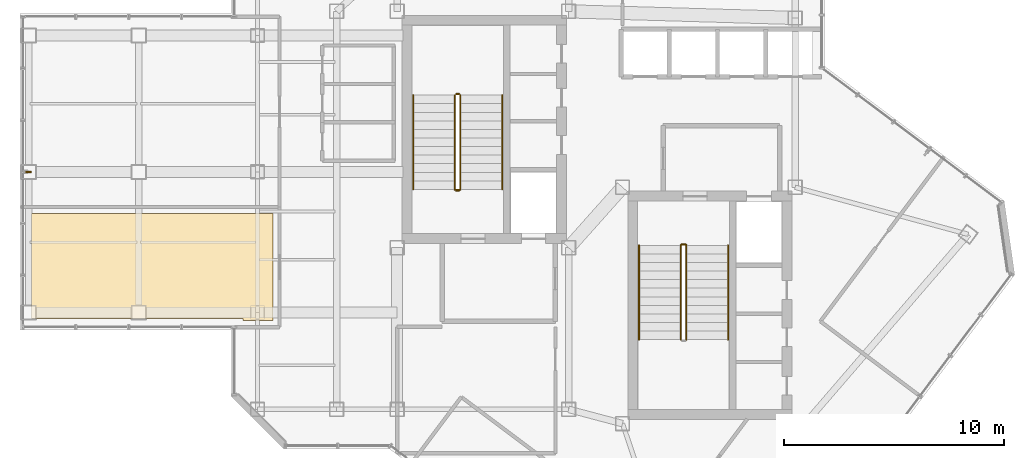
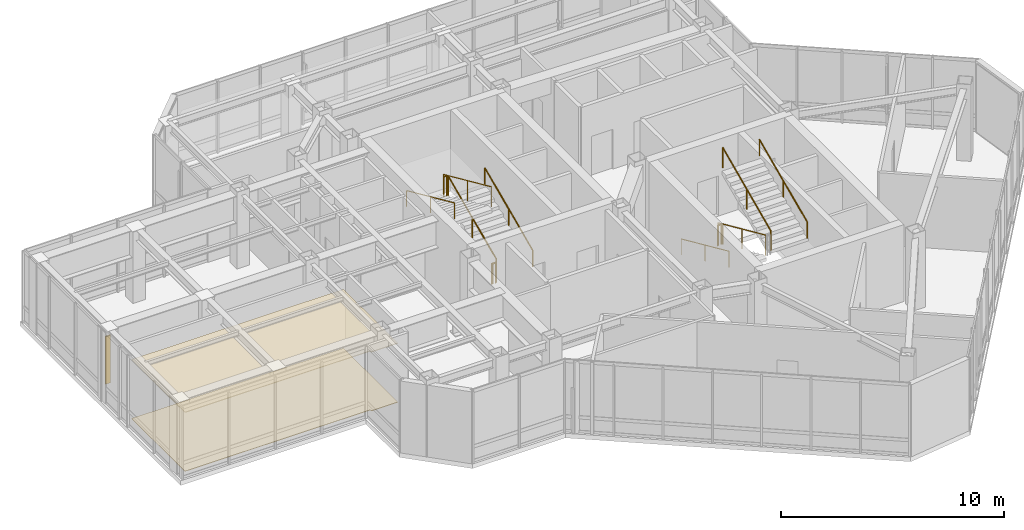
# One storey, part 21 of 22: 13 railings, 2 coverings, 1 shading device.
"""IFC4 building model written with IfcOpenShell, lengths in metres."""

from ifc_helpers import new_model, si_unit, direction, frame, origin, origin_2d, place, context, subcontext, project, spatial, polyline, rectangle, circle, outline, extrude, material, layer, layer_set, type_object, element, save


model = new_model("IFC4")

# Units and contexts
model_context = context("Model", 3, precision=1e-05, world=origin(), true_north=direction((0.0, 1.0)))
body_context = subcontext(model_context, "Body", "Model", "MODEL_VIEW")
ifc_project = project(units=[si_unit("LENGTHUNIT", "METRE"), si_unit("AREAUNIT", "SQUARE_METRE"), si_unit("VOLUMEUNIT", "CUBIC_METRE"), si_unit("PLANEANGLEUNIT", "RADIAN"), si_unit("MASSUNIT", "GRAM", prefix="KILO")], contexts=[model_context])

# Site, building, storey
site_placement = place(None, origin())
site = spatial("IfcSite", under=ifc_project, at=site_placement, CompositionType="ELEMENT")
building_placement = place(site_placement, origin())
building = spatial("IfcBuilding", under=site, at=building_placement, Name="Hatsunagi Terrace Concourse", CompositionType="ELEMENT")
storey_placement = place(building_placement, frame((0.0, 0.0, 261.75)))
storey = spatial("IfcBuildingStorey", under=building, at=storey_placement, Name="L69", CompositionType="ELEMENT", Elevation=261.75)

# Covering
ifc_material_1 = material(Name="Granite stone paving", Category="masonry")
ifc_layer_1 = layer(ifc_material_1, 0.02490234375)
ifc_layer_set_1 = layer_set([ifc_layer_1], Name="GraniteStoneFlooring_25")
covering_type_1 = type_object("IfcCoveringType", Name="GraniteStoneFlooring_25", PredefinedType="FLOORING", material=ifc_layer_set_1)
covering_1_placement = place(storey_placement, origin())
element("IfcCovering", 1, at=covering_1_placement, inside=storey, type_object=covering_type_1, Name="Finished Flooring L69-2", PredefinedType="FLOORING", context=body_context, shape_type="SweptSolid", body=[
    extrude(outline(polyline([(18.530029296875, 29.239990234375), (19.89990234375, 29.239990234375), (19.89990234375, 34.10009765625), (8.929931640625, 34.10009765625), (8.929931640625, 29.330078125), (18.530029296875, 29.330078125), (18.530029296875, 29.239990234375)])), origin(), (0.0, 0.0, 1.0), 0.02490234375),
])

# Railings
ifc_material_2 = material(Name="Stainless steel", Category="steel")
ifc_layer_2 = layer(ifc_material_2, 0.044921875)
ifc_layer_set_2 = layer_set([ifc_layer_2], Name="StairPitchHandrail_Tower2000")
railing_type_1 = type_object("IfcRailingType", Name="StairPitchHandrail_Tower2000", PredefinedType="HANDRAIL", material=ifc_layer_set_2)
railing_1_placement = place(storey_placement, frame((30.330078125, 35.199951171875, 0.175048828125)))
element("IfcRailing", 2, at=railing_1_placement, inside=storey, type_object=railing_type_1, Name="L69 ST-A stair handrail 1", PredefinedType="HANDRAIL", context=body_context, shape_type="SweptSolid", body=[
    extrude(circle(Radius=0.02392578125, at=origin_2d()), frame((0.0, 0.0, 0.8759765625), z_axis=(0.0, 0.912356222151, 0.409397269045), x_axis=(-1.0, 0.0, 0.0)), (0.0, 0.0, 1.0), 4.7021484375),
    extrude(circle(Radius=0.02099609375, at=origin_2d()), origin(), (0.0, 0.0, 1.0), 0.851806640625),
    extrude(circle(Radius=0.02099609375, at=origin_2d()), frame((0.0, 2.14501953125, 0.96240234375)), (0.0, 0.0, 1.0), 0.851806640625),
    extrude(circle(Radius=0.02099609375, at=origin_2d()), frame((0.0, 4.2900390625, 1.925048828125)), (0.0, 0.0, 1.0), 0.851806640625),
])
railing_2_placement = place(storey_placement, frame((26.280029296875, 39.489990234375, 2.27490234375)))
element("IfcRailing", 3, at=railing_2_placement, inside=storey, type_object=railing_type_1, Name="L69 ST-A stair handrail 2", PredefinedType="HANDRAIL", context=body_context, shape_type="SweptSolid", body=[
    extrude(circle(Radius=0.02392578125, at=origin_2d()), frame((0.0, 0.0, 0.8759765625), z_axis=(0.0, -0.912356222151, 0.409397269045), x_axis=(1.0, 0.0, 0.0)), (0.0, 0.0, 1.0), 4.7021484375),
    extrude(circle(Radius=0.02099609375, at=origin_2d()), origin(), (0.0, 0.0, 1.0), 0.851806640625),
    extrude(circle(Radius=0.02099609375, at=origin_2d()), frame((0.0, -2.14501953125, 0.96240234375)), (0.0, 0.0, 1.0), 0.851806640625),
    extrude(circle(Radius=0.02099609375, at=origin_2d()), frame((0.0, -4.2900390625, 1.925048828125)), (0.0, 0.0, 1.0), 0.851806640625),
])
railing_3_placement = place(storey_placement, frame((36.550048828125, 32.659912109375, 0.175048828125)))
element("IfcRailing", 4, at=railing_3_placement, inside=storey, type_object=railing_type_1, Name="L69 ST-B stair handrail 1", PredefinedType="HANDRAIL", context=body_context, shape_type="SweptSolid", body=[
    extrude(circle(Radius=0.02392578125, at=origin_2d()), frame((0.0, 0.0, 0.8759765625), z_axis=(0.0, -0.912347519251, 0.409416663212), x_axis=(1.0, 0.0, 0.0)), (0.0, 0.0, 1.0), 4.701904296875),
    extrude(circle(Radius=0.02099609375, at=origin_2d()), origin(), (0.0, 0.0, 1.0), 0.851806640625),
    extrude(circle(Radius=0.02099609375, at=origin_2d()), frame((0.0, -2.14501953125, 0.96240234375)), (0.0, 0.0, 1.0), 0.851806640625),
    extrude(circle(Radius=0.02099609375, at=origin_2d()), frame((0.0, -4.289794921875, 1.925048828125)), (0.0, 0.0, 1.0), 0.851806640625),
])
railing_4_placement = place(storey_placement, frame((40.60009765625, 28.3701171875, 2.27490234375)))
element("IfcRailing", 5, at=railing_4_placement, inside=storey, type_object=railing_type_1, Name="L69 ST-B stair handrail 2", PredefinedType="HANDRAIL", context=body_context, shape_type="SweptSolid", body=[
    extrude(circle(Radius=0.02392578125, at=origin_2d()), frame((0.0, 0.0, 0.8759765625), z_axis=(0.0, 0.912347519251, 0.409416663212), x_axis=(-1.0, 0.0, 0.0)), (0.0, 0.0, 1.0), 4.701904296875),
    extrude(circle(Radius=0.02099609375, at=origin_2d()), origin(), (0.0, 0.0, 1.0), 0.851806640625),
    extrude(circle(Radius=0.02099609375, at=origin_2d()), frame((0.0, 2.14501953125, 0.96240234375)), (0.0, 0.0, 1.0), 0.851806640625),
    extrude(circle(Radius=0.02099609375, at=origin_2d()), frame((0.0, 4.289794921875, 1.925048828125)), (0.0, 0.0, 1.0), 0.851806640625),
])
ifc_material_3 = material(Name="Stainless steel", Category="steel")
ifc_layer_3 = layer(ifc_material_3, 0.06005859375)
ifc_layer_set_3 = layer_set([ifc_layer_3], Name="StairWellGuard_Tower2000")
railing_type_2 = type_object("IfcRailingType", Name="StairWellGuard_Tower2000", PredefinedType="BALUSTRADE", material=ifc_layer_set_3)
railing_5_placement = place(storey_placement, frame((28.429931640625, 35.199951171875, 0.175048828125)))
element("IfcRailing", 6, at=railing_5_placement, inside=storey, type_object=railing_type_2, Name="L69 ST-A stair guard 1", PredefinedType="BALUSTRADE", context=body_context, shape_type="SweptSolid", body=[
    extrude(circle(Radius=0.02392578125, at=origin_2d()), frame((0.0, 0.0, 1.09619140625), z_axis=(0.0, 0.912356222151, 0.409397269045), x_axis=(-1.0, 0.0, 0.0)), (0.0, 0.0, 1.0), 4.7021484375),
    extrude(circle(Radius=0.02099609375, at=origin_2d()), origin(), (0.0, 0.0, 1.0), 1.072021484375),
    extrude(circle(Radius=0.02099609375, at=origin_2d()), frame((0.0, 2.14501953125, 0.96240234375)), (0.0, 0.0, 1.0), 1.072021484375),
    extrude(circle(Radius=0.02099609375, at=origin_2d()), frame((0.0, 4.2900390625, 1.925048828125)), (0.0, 0.0, 1.0), 1.072021484375),
])
railing_6_placement = place(storey_placement, frame((28.3798828125, 39.5400390625, 2.10009765625)))
element("IfcRailing", 7, at=railing_6_placement, inside=storey, type_object=railing_type_2, Name="L69 ST-A stair guard 2", PredefinedType="BALUSTRADE", context=body_context, shape_type="SweptSolid", body=[
    extrude(circle(Radius=0.02392578125, at=origin_2d()), frame((0.0, 0.0, 1.09619140625), z_axis=(-1.0, 0.0, 0.0), x_axis=(0.0, -1.0, 0.0)), (0.0, 0.0, 1.0), 0.14990234375),
    extrude(circle(Radius=0.02099609375, at=origin_2d()), origin(), (0.0, 0.0, 1.0), 1.072021484375),
    extrude(circle(Radius=0.02099609375, at=origin_2d()), frame((-0.14990234375, 0.0, 0.0)), (0.0, 0.0, 1.0), 1.072021484375),
])
railing_7_placement = place(storey_placement, frame((28.179931640625, 39.489990234375, 2.27490234375)))
element("IfcRailing", 8, at=railing_7_placement, inside=storey, type_object=railing_type_2, Name="L69 ST-A stair guard 3", PredefinedType="BALUSTRADE", context=body_context, shape_type="SweptSolid", body=[
    extrude(circle(Radius=0.02392578125, at=origin_2d()), frame((0.0, 0.0, 1.09619140625), z_axis=(0.0, -0.912356222151, 0.409397269045), x_axis=(1.0, 0.0, 0.0)), (0.0, 0.0, 1.0), 4.7021484375),
    extrude(circle(Radius=0.02099609375, at=origin_2d()), origin(), (0.0, 0.0, 1.0), 1.072021484375),
    extrude(circle(Radius=0.02099609375, at=origin_2d()), frame((0.0, -2.14501953125, 0.96240234375)), (0.0, 0.0, 1.0), 1.072021484375),
    extrude(circle(Radius=0.02099609375, at=origin_2d()), frame((0.0, -4.2900390625, 1.925048828125)), (0.0, 0.0, 1.0), 1.072021484375),
])
railing_8_placement = place(storey_placement, frame((28.3798828125, 35.14990234375, 0.0)))
element("IfcRailing", 9, at=railing_8_placement, inside=storey, type_object=railing_type_2, Name="L69 ST-A stair guard 4", PredefinedType="BALUSTRADE", context=body_context, shape_type="SweptSolid", body=[
    extrude(circle(Radius=0.02392578125, at=origin_2d()), frame((0.0, 0.0, 1.09619140625), z_axis=(-1.0, 0.0, 0.0), x_axis=(0.0, -1.0, 0.0)), (0.0, 0.0, 1.0), 0.14990234375),
    extrude(circle(Radius=0.02099609375, at=origin_2d()), origin(), (0.0, 0.0, 1.0), 1.072021484375),
    extrude(circle(Radius=0.02099609375, at=origin_2d()), frame((-0.14990234375, 0.0, 0.0)), (0.0, 0.0, 1.0), 1.072021484375),
])
railing_9_placement = place(storey_placement, frame((38.449951171875, 32.659912109375, 0.175048828125)))
element("IfcRailing", 10, at=railing_9_placement, inside=storey, type_object=railing_type_2, Name="L69 ST-B stair guard 1", PredefinedType="BALUSTRADE", context=body_context, shape_type="SweptSolid", body=[
    extrude(circle(Radius=0.02392578125, at=origin_2d()), frame((0.0, 0.0, 1.09619140625), z_axis=(0.0, -0.912347519251, 0.409416663212), x_axis=(1.0, 0.0, 0.0)), (0.0, 0.0, 1.0), 4.701904296875),
    extrude(circle(Radius=0.02099609375, at=origin_2d()), origin(), (0.0, 0.0, 1.0), 1.072021484375),
    extrude(circle(Radius=0.02099609375, at=origin_2d()), frame((0.0, -2.14501953125, 0.96240234375)), (0.0, 0.0, 1.0), 1.072021484375),
    extrude(circle(Radius=0.02099609375, at=origin_2d()), frame((0.0, -4.289794921875, 1.925048828125)), (0.0, 0.0, 1.0), 1.072021484375),
])
railing_10_placement = place(storey_placement, frame((38.699951171875, 28.3701171875, 2.27490234375)))
element("IfcRailing", 11, at=railing_10_placement, inside=storey, type_object=railing_type_2, Name="L69 ST-B stair guard 3", PredefinedType="BALUSTRADE", context=body_context, shape_type="SweptSolid", body=[
    extrude(circle(Radius=0.02392578125, at=origin_2d()), frame((0.0, 0.0, 1.09619140625), z_axis=(0.0, 0.912347519251, 0.409416663212), x_axis=(-1.0, 0.0, 0.0)), (0.0, 0.0, 1.0), 4.701904296875),
    extrude(circle(Radius=0.02099609375, at=origin_2d()), origin(), (0.0, 0.0, 1.0), 1.072021484375),
    extrude(circle(Radius=0.02099609375, at=origin_2d()), frame((0.0, 2.14501953125, 0.96240234375)), (0.0, 0.0, 1.0), 1.072021484375),
    extrude(circle(Radius=0.02099609375, at=origin_2d()), frame((0.0, 4.289794921875, 1.925048828125)), (0.0, 0.0, 1.0), 1.072021484375),
])
railing_11_placement = place(storey_placement, frame((38.5, 32.7099609375, 0.0)))
element("IfcRailing", 12, at=railing_11_placement, inside=storey, type_object=railing_type_2, Name="L69 ST-B stair guard 4", PredefinedType="BALUSTRADE", context=body_context, shape_type="SweptSolid", body=[
    extrude(circle(Radius=0.02392578125, at=origin_2d()), frame((0.0, 0.0, 1.09619140625), z_axis=(1.0, 0.0, 0.0), x_axis=(0.0, 1.0, 0.0)), (0.0, 0.0, 1.0), 0.14990234375),
    extrude(circle(Radius=0.02099609375, at=origin_2d()), origin(), (0.0, 0.0, 1.0), 1.072021484375),
    extrude(circle(Radius=0.02099609375, at=origin_2d()), frame((0.14990234375, 0.0, 0.0)), (0.0, 0.0, 1.0), 1.072021484375),
])
ifc_material_4 = material(Name="Stainless Steel SUS316 Post-and-Rail Guard", Category="steel")
ifc_layer_4 = layer(ifc_material_4, 0.080078125)
ifc_layer_set_4 = layer_set([ifc_layer_4], Name="TerracePlantedGuardRail_1200")
railing_type_3 = type_object("IfcRailingType", Name="TerracePlantedGuardRail_1200", PredefinedType="GUARDRAIL", material=ifc_layer_set_4)
for number, where, name in (
    (13, (28.179931640625, 35.179931640625, 0.0), "Stair ST-A Well Closure Guard L69"),
    (14, (38.449951171875, 32.679931640625, 0.0), "Stair ST-B Well Closure Guard L69"),
):
    element("IfcRailing", number, at=place(storey_placement, frame(where)), inside=storey, type_object=railing_type_3, Name=name, PredefinedType="GUARDRAIL", context=body_context, shape_type="SweptSolid", body=[
        extrude(circle(Radius=0.02392578125, at=origin_2d()), frame((0.0, 0.0, 1.09619140625), z_axis=(1.0, 0.0, 0.0), x_axis=(0.0, 1.0, 0.0)), (0.0, 0.0, 1.0), 0.25),
        extrude(circle(Radius=0.02099609375, at=origin_2d()), origin(), (0.0, 0.0, 1.0), 1.072021484375),
        extrude(circle(Radius=0.02099609375, at=origin_2d()), frame((0.25, 0.0, 0.0)), (0.0, 0.0, 1.0), 1.072021484375),
    ])

# Shading device
ifc_material_5 = material(Name="Extruded Unglazed Terracotta Baguette", Category="masonry")
shading_device_type = type_object("IfcShadingDeviceType", Name="TerracottaFinScreen_260x70", PredefinedType="USERDEFINED", material=ifc_material_5)
shading_device_placement = place(storey_placement, frame((8.7900390625, 36.0, 0.849853515625), z_axis=(0.0, 0.0, 1.0), x_axis=(0.0, 1.0, 0.0)))
element("IfcShadingDevice", 15, at=shading_device_placement, inside=storey, type_object=shading_device_type, Name="Terracotta Baguette Fin Screen SCR-01", ObjectType="SUNSHADE", PredefinedType="USERDEFINED", context=body_context, shape_type="SweptSolid", body=[
    extrude(rectangle(XDim=0.070068359375, YDim=0.260009765625, at=origin_2d()), origin(), (0.0, 0.0, 1.0), 2.60009765625),
])

# Covering
ifc_material_6 = material(Name="Hardwood timber", Category="wood")
ifc_layer_5 = layer(ifc_material_6, 0.034912109375)
ifc_layer_set_5 = layer_set([ifc_layer_5], Name="TimberBaffleCeiling_35")
covering_type_2 = type_object("IfcCoveringType", Name="TimberBaffleCeiling_35", PredefinedType="CEILING", material=ifc_layer_set_5)
covering_2_placement = place(storey_placement, frame((0.0, 0.0, 3.219970703125)))
element("IfcCovering", 16, at=covering_2_placement, inside=storey, type_object=covering_type_2, Name="Suspended Ceiling L69-2", PredefinedType="CEILING", context=body_context, shape_type="SweptSolid", body=[
    extrude(outline(polyline([(18.530029296875, 29.239990234375), (19.89990234375, 29.239990234375), (19.89990234375, 34.10009765625), (8.929931640625, 34.10009765625), (8.929931640625, 29.330078125), (18.530029296875, 29.330078125), (18.530029296875, 29.239990234375)])), origin(), (0.0, 0.0, 1.0), 0.034912109375),
])

save(model, "model.ifc")
